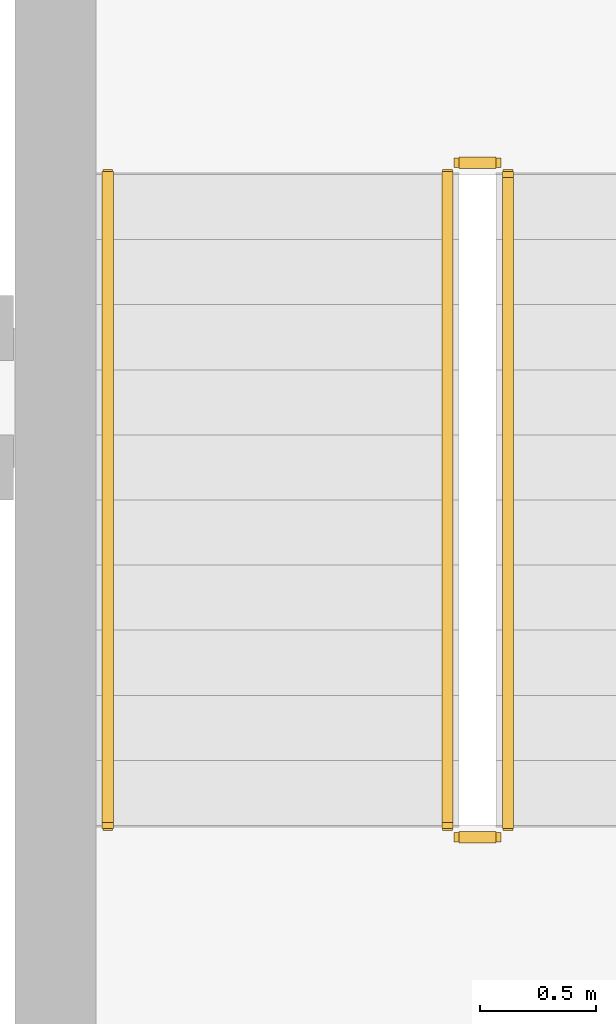
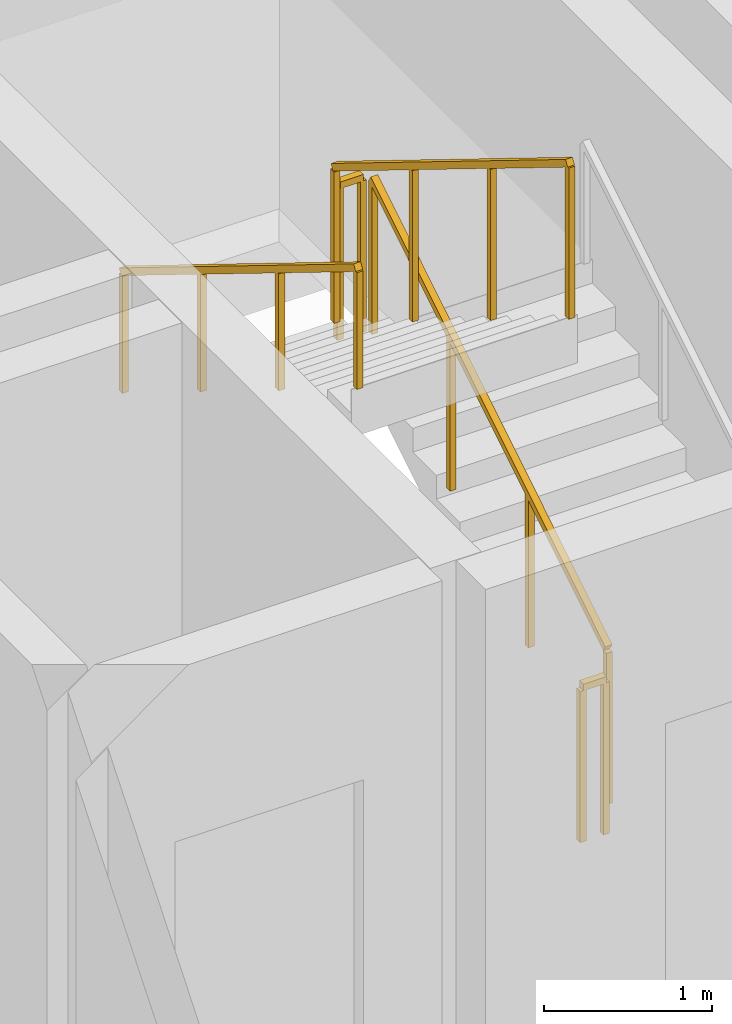
# One storey, part 13 of 14: 5 railings.
"""IFC4 building model written with IfcOpenShell, lengths in metres."""

from ifc_helpers import new_model, si_unit, direction, frame, origin, origin_2d, place, context, subcontext, project, spatial, rectangle, extrude, material, type_object, element, save


model = new_model("IFC4")

# Units and contexts
model_context = context("Model", 3, precision=1e-05, world=origin(), true_north=direction((0.0, 1.0)))
body_context = subcontext(model_context, "Body", "Model", "MODEL_VIEW")
ifc_project = project(units=[si_unit("LENGTHUNIT", "METRE"), si_unit("AREAUNIT", "SQUARE_METRE"), si_unit("VOLUMEUNIT", "CUBIC_METRE"), si_unit("PLANEANGLEUNIT", "RADIAN"), si_unit("MASSUNIT", "GRAM", prefix="KILO")], contexts=[model_context])

# Site, building, storey
site_placement = place(None, origin())
site = spatial("IfcSite", under=ifc_project, at=site_placement, CompositionType="ELEMENT")
building_placement = place(site_placement, origin())
building = spatial("IfcBuilding", under=site, at=building_placement, Name="Kaelvorn Grand Hotel", CompositionType="ELEMENT")
storey_placement = place(building_placement, frame((0.0, 0.0, 165.75)))
storey = spatial("IfcBuildingStorey", under=building, at=storey_placement, Name="L40", CompositionType="ELEMENT", Elevation=165.75)

# Railings
ifc_material = material(Name="Stainless Steel", Category="steel")
railing_type_1 = type_object("IfcRailingType", Name="RL-HANDRAIL-900", PredefinedType="HANDRAIL", material=ifc_material)
railing_1_placement = place(storey_placement, frame((63.3701171875, 44.56005859375, 2.07275390625)))
element("IfcRailing", 1, at=railing_1_placement, inside=storey, type_object=railing_type_1, Name="L40 ST3 stair handrail 2", PredefinedType="HANDRAIL", context=body_context, shape_type="SweptSolid", body=[
    extrude(rectangle(XDim=0.048095703125, YDim=0.048095703125, at=origin_2d()), frame((0.0, 0.0, 0.8759765625), z_axis=(0.0, -0.851089632645, 0.525020415988), x_axis=(1.0, 0.0, 0.0)), (0.0, 0.0, 1.0), 3.2900390625),
    extrude(rectangle(XDim=0.0419921875, YDim=0.0419921875, at=origin_2d()), origin(), (0.0, 0.0, 1.0), 0.851806640625),
    extrude(rectangle(XDim=0.0419921875, YDim=0.0419921875, at=origin_2d()), frame((0.0, -0.933349609375, 0.57568359375)), (0.0, 0.0, 1.0), 0.851806640625),
    extrude(rectangle(XDim=0.0419921875, YDim=0.0419921875, at=origin_2d()), frame((0.0, -1.86669921875, 1.151611328125)), (0.0, 0.0, 1.0), 0.851806640625),
    extrude(rectangle(XDim=0.0419921875, YDim=0.0419921875, at=origin_2d()), frame((0.0, -2.800048828125, 1.727294921875)), (0.0, 0.0, 1.0), 0.851806640625),
])
railing_type_2 = type_object("IfcRailingType", Name="RL-STAIR-GUARD-1150", PredefinedType="BALUSTRADE", material=ifc_material)
railing_2_placement = place(storey_placement, frame((65.090087890625, 41.760009765625, 0.172607421875)))
element("IfcRailing", 2, at=railing_2_placement, inside=storey, type_object=railing_type_2, Name="L40 ST3 stair guard 1", PredefinedType="BALUSTRADE", context=body_context, shape_type="SweptSolid", body=[
    extrude(rectangle(XDim=0.048095703125, YDim=0.048095703125, at=origin_2d()), frame((0.0, 0.0, 1.1259765625), z_axis=(0.0, 0.851089632645, 0.525020415988), x_axis=(-1.0, 0.0, 0.0)), (0.0, 0.0, 1.0), 3.2900390625),
    extrude(rectangle(XDim=0.0419921875, YDim=0.0419921875, at=origin_2d()), origin(), (0.0, 0.0, 1.0), 1.101806640625),
    extrude(rectangle(XDim=0.0419921875, YDim=0.0419921875, at=origin_2d()), frame((0.0, 0.933349609375, 0.57568359375)), (0.0, 0.0, 1.0), 1.101806640625),
    extrude(rectangle(XDim=0.0419921875, YDim=0.0419921875, at=origin_2d()), frame((0.0, 1.86669921875, 1.151611328125)), (0.0, 0.0, 1.0), 1.101806640625),
    extrude(rectangle(XDim=0.0419921875, YDim=0.0419921875, at=origin_2d()), frame((0.0, 2.800048828125, 1.727294921875)), (0.0, 0.0, 1.0), 1.101806640625),
])
railing_3_placement = place(storey_placement, frame((65.0400390625, 44.610107421875, 1.89990234375)))
element("IfcRailing", 3, at=railing_3_placement, inside=storey, type_object=railing_type_2, Name="L40 ST3 stair guard 2", PredefinedType="BALUSTRADE", context=body_context, shape_type="SweptSolid", body=[
    extrude(rectangle(XDim=0.048095703125, YDim=0.048095703125, at=origin_2d()), frame((0.0, 0.0, 1.1259765625), z_axis=(-1.0, 0.0, 0.0), x_axis=(0.0, -1.0, 0.0)), (0.0, 0.0, 1.0), 0.16015625),
    extrude(rectangle(XDim=0.0419921875, YDim=0.0419921875, at=origin_2d()), origin(), (0.0, 0.0, 1.0), 1.101806640625),
    extrude(rectangle(XDim=0.0419921875, YDim=0.0419921875, at=origin_2d()), frame((-0.16015625, 0.0, 0.0)), (0.0, 0.0, 1.0), 1.101806640625),
])
railing_4_placement = place(storey_placement, frame((64.830078125, 44.56005859375, 2.07275390625)))
element("IfcRailing", 4, at=railing_4_placement, inside=storey, type_object=railing_type_2, Name="L40 ST3 stair guard 3", PredefinedType="BALUSTRADE", context=body_context, shape_type="SweptSolid", body=[
    extrude(rectangle(XDim=0.048095703125, YDim=0.048095703125, at=origin_2d()), frame((0.0, 0.0, 1.1259765625), z_axis=(0.0, -0.851089632645, 0.525020415988), x_axis=(1.0, 0.0, 0.0)), (0.0, 0.0, 1.0), 3.2900390625),
    extrude(rectangle(XDim=0.0419921875, YDim=0.0419921875, at=origin_2d()), origin(), (0.0, 0.0, 1.0), 1.101806640625),
    extrude(rectangle(XDim=0.0419921875, YDim=0.0419921875, at=origin_2d()), frame((0.0, -0.933349609375, 0.57568359375)), (0.0, 0.0, 1.0), 1.101806640625),
    extrude(rectangle(XDim=0.0419921875, YDim=0.0419921875, at=origin_2d()), frame((0.0, -1.86669921875, 1.151611328125)), (0.0, 0.0, 1.0), 1.101806640625),
    extrude(rectangle(XDim=0.0419921875, YDim=0.0419921875, at=origin_2d()), frame((0.0, -2.800048828125, 1.727294921875)), (0.0, 0.0, 1.0), 1.101806640625),
])
railing_5_placement = place(storey_placement, frame((65.0400390625, 41.7099609375, 0.0)))
element("IfcRailing", 5, at=railing_5_placement, inside=storey, type_object=railing_type_2, Name="L40 ST3 stair guard 4", PredefinedType="BALUSTRADE", context=body_context, shape_type="SweptSolid", body=[
    extrude(rectangle(XDim=0.048095703125, YDim=0.048095703125, at=origin_2d()), frame((0.0, 0.0, 1.1259765625), z_axis=(-1.0, 0.0, 0.0), x_axis=(0.0, -1.0, 0.0)), (0.0, 0.0, 1.0), 0.16015625),
    extrude(rectangle(XDim=0.0419921875, YDim=0.0419921875, at=origin_2d()), origin(), (0.0, 0.0, 1.0), 1.101806640625),
    extrude(rectangle(XDim=0.0419921875, YDim=0.0419921875, at=origin_2d()), frame((-0.16015625, 0.0, 0.0)), (0.0, 0.0, 1.0), 1.101806640625),
])

save(model, "model.ifc")
